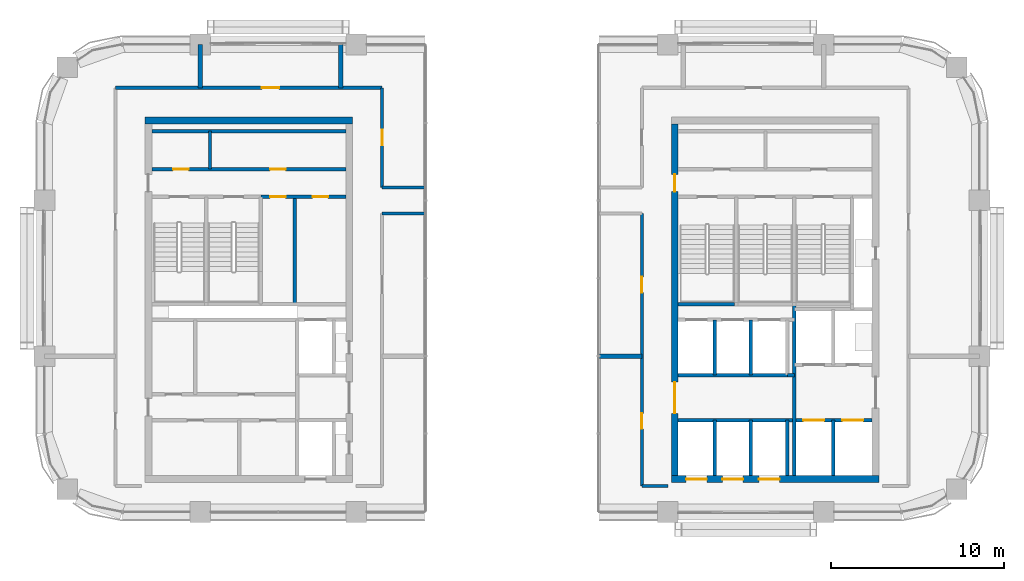
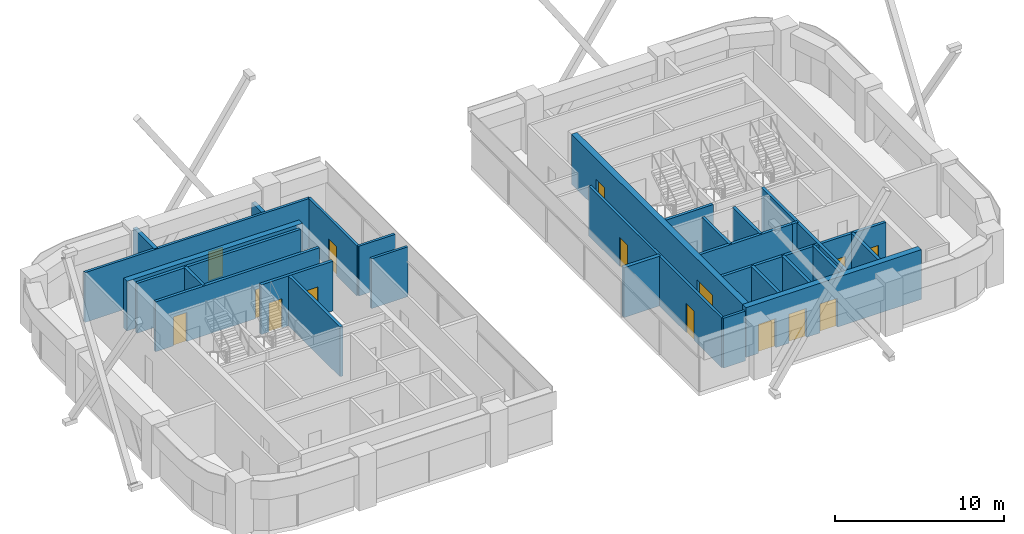
# One storey, part 10 of 14: 28 walls, 15 doors, 15 openings.
"""IFC4 building model written with IfcOpenShell, lengths in metres."""

from ifc_helpers import new_model, si_unit, direction, frame, frame_2d, origin, place, context, subcontext, project, spatial, rectangle, extrude, material, layer, layer_set, type_object, element, fill, save


model = new_model("IFC4")

# Units and contexts
model_context = context("Model", 3, precision=1e-05, world=origin(), true_north=direction((0.0, 1.0)))
body_context = subcontext(model_context, "Body", "Model", "MODEL_VIEW")
ifc_project = project(units=[si_unit("LENGTHUNIT", "METRE"), si_unit("AREAUNIT", "SQUARE_METRE"), si_unit("VOLUMEUNIT", "CUBIC_METRE"), si_unit("PLANEANGLEUNIT", "RADIAN"), si_unit("MASSUNIT", "GRAM", prefix="KILO")], contexts=[model_context])

# Site, building, storey
site_placement = place(None, origin())
site = spatial("IfcSite", under=ifc_project, at=site_placement, CompositionType="ELEMENT")
building_placement = place(site_placement, origin())
building = spatial("IfcBuilding", under=site, at=building_placement, Name="Tessera Arch", CompositionType="ELEMENT")
storey_placement = place(building_placement, frame((0.0, 0.0, 215.0)))
storey = spatial("IfcBuildingStorey", under=building, at=storey_placement, Name="L51", CompositionType="ELEMENT", Elevation=215.0)

# Walls
ifc_material_1 = material(Name="Gypsum board on steel stud", Category="steel")
ifc_layer_1 = layer(ifc_material_1, 0.125)
ifc_layer_set_1 = layer_set([ifc_layer_1], Name="Core partition 125 EI 60")
wall_type_1 = type_object("IfcWallType", Name="Core partition 125 EI 60", PredefinedType="PARTITIONING", material=ifc_layer_set_1)
wall_1_placement = place(storey_placement, frame((42.89990234375, 34.89990234375, 0.0), z_axis=(0.0, 0.0, 1.0), x_axis=(1.0, 0.0, 0.0)))
element("IfcWall", 1, at=wall_1_placement, inside=storey, type_object=wall_type_1, Name="L51 C1 partition wall 19", PredefinedType="PARTITIONING", context=body_context, shape_type="SweptSolid", body=[
    extrude(rectangle(XDim=0.400146484375, YDim=0.199951171875, at=frame_2d((0.2001953125, 0.0))), origin(), (0.0, 0.0, 1.0), 3.60009765625),
])
wall_2_placement = place(storey_placement, frame((9.56005859375, 46.800048828125, 0.0), z_axis=(0.0, 0.0, 1.0), x_axis=(0.0, 1.0, 0.0)))
element("IfcWall", 2, at=wall_2_placement, inside=storey, type_object=wall_type_1, Name="L51 C2 partition wall 4", PredefinedType="PARTITIONING", context=body_context, shape_type="SweptSolid", body=[
    extrude(rectangle(XDim=2.199951171875, YDim=0.199951171875, at=frame_2d((1.10009765625, 0.0))), origin(), (0.0, 0.0, 1.0), 3.60009765625),
])
wall_3_placement = place(storey_placement, frame((14.4599609375, 39.0, 0.0), z_axis=(0.0, 0.0, 1.0), x_axis=(0.0, 1.0, 0.0)))
element("IfcWall", 3, at=wall_3_placement, inside=storey, type_object=wall_type_1, Name="L51 C2 partition wall 8", PredefinedType="PARTITIONING", context=body_context, shape_type="SweptSolid", body=[
    extrude(rectangle(XDim=6.199951171875, YDim=0.199951171875, at=frame_2d((3.10009765625, 0.0))), origin(), (0.0, 0.0, 1.0), 3.60009765625),
])

# Wall, openings, doors
wall_4_placement = place(storey_placement, frame((12.5, 45.199951171875, 0.0), z_axis=(0.0, 0.0, 1.0), x_axis=(1.0, 0.0, 0.0)))
wall_4 = element("IfcWall", 4, at=wall_4_placement, inside=storey, type_object=wall_type_1, Name="L51 C2 partition wall 23", PredefinedType="PARTITIONING", context=body_context, shape_type="SweptSolid", body=[
    extrude(rectangle(XDim=4.89990234375, YDim=0.199951171875, at=frame_2d((2.449951171875, 0.0))), origin(), (0.0, 0.0, 1.0), 3.60009765625),
])
opening_1_placement = place(wall_4_placement, frame((0.530029296875, 0.0, 0.0)))
opening_1 = element("IfcOpeningElement", 5, at=opening_1_placement, cuts=wall_4, Name="Opening L51-C31", PredefinedType="OPENING", context=body_context, shape_type="SweptSolid", body=[
    extrude(rectangle(XDim=0.89990234375, YDim=2.10009765625, at=frame_2d((0.449951171875, 1.050048828125))), frame((0.0, 0.10986328125, 0.0), z_axis=(0.0, -1.0, 0.0), x_axis=(1.0, 0.0, 0.0)), (0.0, 0.0, 1.0), 0.219970703125),
])
opening_2_placement = place(wall_4_placement, frame((2.97998046875, 0.0, 0.0)))
opening_2 = element("IfcOpeningElement", 6, at=opening_2_placement, cuts=wall_4, Name="Opening L51-C32", PredefinedType="OPENING", context=body_context, shape_type="SweptSolid", body=[
    extrude(rectangle(XDim=0.89990234375, YDim=2.10009765625, at=frame_2d((0.449951171875, 1.050048828125))), frame((0.0, 0.10986328125, 0.0), z_axis=(0.0, -1.0, 0.0), x_axis=(1.0, 0.0, 0.0)), (0.0, 0.0, 1.0), 0.219970703125),
])
ifc_material_2 = material(Name="Steel door leaf", Category="steel")
door_type_1 = type_object("IfcDoorType", Name="Store door FD30S 900 x 2100", OperationType="SINGLE_SWING_LEFT", PredefinedType="DOOR", material=ifc_material_2)
door_1_placement = place(opening_1_placement, origin())
door_1 = element("IfcDoor", 7, at=door_1_placement, inside=storey, type_object=door_type_1, Name="L51 C2 door 12 C31 type D09", OperationType="SINGLE_SWING_LEFT", OverallHeight=2.10009765625, OverallWidth=0.89990234375, PredefinedType="DOOR", context=body_context, shape_type="SweptSolid", body=[
    extrude(rectangle(XDim=0.89990234375, YDim=2.10009765625, at=frame_2d((0.449951171875, 1.050048828125))), frame((0.0, 0.02490234375, 0.0), z_axis=(0.0, -1.0, 0.0), x_axis=(1.0, 0.0, 0.0)), (0.0, 0.0, 1.0), 0.050048828125),
])
fill(opening_1, door_1)
door_2_placement = place(opening_2_placement, origin())
door_2 = element("IfcDoor", 8, at=door_2_placement, inside=storey, type_object=door_type_1, Name="L51 C2 door 13 C32 type D09", OperationType="SINGLE_SWING_RIGHT", OverallHeight=2.10009765625, OverallWidth=0.89990234375, PredefinedType="DOOR", context=body_context, shape_type="SweptSolid", body=[
    extrude(rectangle(XDim=0.89990234375, YDim=2.10009765625, at=frame_2d((0.449951171875, 1.050048828125))), frame((0.0, 0.02490234375, 0.0), z_axis=(0.0, -1.0, 0.0), x_axis=(1.0, 0.0, 0.0)), (0.0, 0.0, 1.0), 0.050048828125),
])
fill(opening_2, door_2)

wall_5_placement = place(storey_placement, frame((6.199951171875, 46.800048828125, 0.0), z_axis=(0.0, 0.0, 1.0), x_axis=(1.0, 0.0, 0.0)))
wall_5 = element("IfcWall", 9, at=wall_5_placement, inside=storey, type_object=wall_type_1, Name="L51 C2 partition wall 25", PredefinedType="PARTITIONING", context=body_context, shape_type="SweptSolid", body=[
    extrude(rectangle(XDim=11.199951171875, YDim=0.199951171875, at=frame_2d((5.60009765625, 0.0))), origin(), (0.0, 0.0, 1.0), 3.60009765625),
])
opening_3_placement = place(wall_5_placement, frame((1.22998046875, 0.0, 0.0)))
opening_3 = element("IfcOpeningElement", 10, at=opening_3_placement, cuts=wall_5, Name="Opening L51-C29", PredefinedType="OPENING", context=body_context, shape_type="SweptSolid", body=[
    extrude(rectangle(XDim=0.89990234375, YDim=2.10009765625, at=frame_2d((0.449951171875, 1.050048828125))), frame((0.0, 0.10986328125, 0.0), z_axis=(0.0, -1.0, 0.0), x_axis=(1.0, 0.0, 0.0)), (0.0, 0.0, 1.0), 0.219970703125),
])
opening_4_placement = place(wall_5_placement, frame((6.830078125, 0.0, 0.0)))
opening_4 = element("IfcOpeningElement", 11, at=opening_4_placement, cuts=wall_5, Name="Opening L51-C30", PredefinedType="OPENING", context=body_context, shape_type="SweptSolid", body=[
    extrude(rectangle(XDim=0.89990234375, YDim=2.10009765625, at=frame_2d((0.449951171875, 1.050048828125))), frame((0.0, 0.10986328125, 0.0), z_axis=(0.0, -1.0, 0.0), x_axis=(1.0, 0.0, 0.0)), (0.0, 0.0, 1.0), 0.219970703125),
])
door_3_placement = place(opening_3_placement, origin())
door_3 = element("IfcDoor", 12, at=door_3_placement, inside=storey, type_object=door_type_1, Name="L51 C2 door 10 C29 type D09", OperationType="SINGLE_SWING_LEFT", OverallHeight=2.10009765625, OverallWidth=0.89990234375, PredefinedType="DOOR", context=body_context, shape_type="SweptSolid", body=[
    extrude(rectangle(XDim=0.89990234375, YDim=2.10009765625, at=frame_2d((0.449951171875, 1.050048828125))), frame((0.0, 0.02490234375, 0.0), z_axis=(0.0, -1.0, 0.0), x_axis=(1.0, 0.0, 0.0)), (0.0, 0.0, 1.0), 0.050048828125),
])
fill(opening_3, door_3)
door_4_placement = place(opening_4_placement, origin())
door_4 = element("IfcDoor", 13, at=door_4_placement, inside=storey, type_object=door_type_1, Name="L51 C2 door 11 C30 type D09", OperationType="SINGLE_SWING_RIGHT", OverallHeight=2.10009765625, OverallWidth=0.89990234375, PredefinedType="DOOR", context=body_context, shape_type="SweptSolid", body=[
    extrude(rectangle(XDim=0.89990234375, YDim=2.10009765625, at=frame_2d((0.449951171875, 1.050048828125))), frame((0.0, 0.02490234375, 0.0), z_axis=(0.0, -1.0, 0.0), x_axis=(1.0, 0.0, 0.0)), (0.0, 0.0, 1.0), 0.050048828125),
])
fill(opening_4, door_4)

# Wall
wall_6_placement = place(storey_placement, frame((6.199951171875, 49.0, 0.0), z_axis=(0.0, 0.0, 1.0), x_axis=(1.0, 0.0, 0.0)))
element("IfcWall", 14, at=wall_6_placement, inside=storey, type_object=wall_type_1, Name="L51 C2 partition wall 26", PredefinedType="PARTITIONING", context=body_context, shape_type="SweptSolid", body=[
    extrude(rectangle(XDim=11.199951171875, YDim=0.199951171875, at=frame_2d((5.60009765625, 0.0))), origin(), (0.0, 0.0, 1.0), 3.60009765625),
])

# Wall, openings, doors
ifc_material_3 = material(Name="Concrete C50/60", Category="concrete")
ifc_layer_2 = layer(ifc_material_3, 0.39990234375)
ifc_layer_set_2 = layer_set([ifc_layer_2], Name="Core shell wall 400 C50-60")
wall_type_2 = type_object("IfcWallType", Name="Core shell wall 400 C50-60", PredefinedType="SHEAR", material=ifc_layer_set_2)
wall_7_placement = place(storey_placement, frame((36.199951171875, 28.89990234375, 0.0), z_axis=(0.0, 0.0, 1.0), x_axis=(1.0, 0.0, 0.0)))
wall_7 = element("IfcWall", 15, at=wall_7_placement, inside=storey, type_object=wall_type_2, Name="L51 C1 core wall S", PredefinedType="SHEAR", context=body_context, shape_type="SweptSolid", body=[
    extrude(rectangle(XDim=12.0, YDim=0.39990234375, at=frame_2d((6.0, 0.0))), origin(), (0.0, 0.0, 1.0), 3.60009765625),
])
opening_5_placement = place(wall_7_placement, frame((0.85009765625, 0.0, 0.0)))
opening_5 = element("IfcOpeningElement", 16, at=opening_5_placement, cuts=wall_7, Name="Opening L51-C01", PredefinedType="OPENING", context=body_context, shape_type="SweptSolid", body=[
    extrude(rectangle(XDim=1.199951171875, YDim=2.10009765625, at=frame_2d((0.60009765625, 1.050048828125))), frame((0.0, 0.2099609375, 0.0), z_axis=(0.0, -1.0, 0.0), x_axis=(1.0, 0.0, 0.0)), (0.0, 0.0, 1.0), 0.419921875),
])
opening_6_placement = place(wall_7_placement, frame((2.949951171875, 0.0, 0.0)))
opening_6 = element("IfcOpeningElement", 17, at=opening_6_placement, cuts=wall_7, Name="Opening L51-C03", PredefinedType="OPENING", context=body_context, shape_type="SweptSolid", body=[
    extrude(rectangle(XDim=1.199951171875, YDim=2.10009765625, at=frame_2d((0.60009765625, 1.050048828125))), frame((0.0, 0.2099609375, 0.0), z_axis=(0.0, -1.0, 0.0), x_axis=(1.0, 0.0, 0.0)), (0.0, 0.0, 1.0), 0.419921875),
])
opening_7_placement = place(wall_7_placement, frame((5.050048828125, 0.0, 0.0)))
opening_7 = element("IfcOpeningElement", 18, at=opening_7_placement, cuts=wall_7, Name="Opening L51-C05", PredefinedType="OPENING", context=body_context, shape_type="SweptSolid", body=[
    extrude(rectangle(XDim=1.199951171875, YDim=2.10009765625, at=frame_2d((0.60009765625, 1.050048828125))), frame((0.0, 0.2099609375, 0.0), z_axis=(0.0, -1.0, 0.0), x_axis=(1.0, 0.0, 0.0)), (0.0, 0.0, 1.0), 0.419921875),
])
ifc_material_4 = material(Name="Stainless steel AISI 304", Category="steel")
door_type_2 = type_object("IfcDoorType", Name="Sliding landing door 1200 x 2100", OperationType="SLIDING_TO_LEFT", PredefinedType="DOOR", material=ifc_material_4)
door_5_placement = place(opening_5_placement, origin())
door_5 = element("IfcDoor", 19, at=door_5_placement, inside=storey, type_object=door_type_2, Name="L51 HR1 lift landing door C01 type LD", OperationType="SLIDING_TO_LEFT", OverallHeight=2.10009765625, OverallWidth=1.199951171875, PredefinedType="DOOR", context=body_context, shape_type="SweptSolid", body=[
    extrude(rectangle(XDim=1.199951171875, YDim=2.10009765625, at=frame_2d((0.60009765625, 1.050048828125))), frame((0.0, 0.02490234375, 0.0), z_axis=(0.0, -1.0, 0.0), x_axis=(1.0, 0.0, 0.0)), (0.0, 0.0, 1.0), 0.050048828125),
])
fill(opening_5, door_5)
door_6_placement = place(opening_6_placement, origin())
door_6 = element("IfcDoor", 20, at=door_6_placement, inside=storey, type_object=door_type_2, Name="L51 HR2 lift landing door C03 type LD", OperationType="SLIDING_TO_LEFT", OverallHeight=2.10009765625, OverallWidth=1.199951171875, PredefinedType="DOOR", context=body_context, shape_type="SweptSolid", body=[
    extrude(rectangle(XDim=1.199951171875, YDim=2.10009765625, at=frame_2d((0.60009765625, 1.050048828125))), frame((0.0, 0.02490234375, 0.0), z_axis=(0.0, -1.0, 0.0), x_axis=(1.0, 0.0, 0.0)), (0.0, 0.0, 1.0), 0.050048828125),
])
fill(opening_6, door_6)
door_7_placement = place(opening_7_placement, origin())
door_7 = element("IfcDoor", 21, at=door_7_placement, inside=storey, type_object=door_type_2, Name="L51 HR3 lift landing door C05 type LD", OperationType="SLIDING_TO_LEFT", OverallHeight=2.10009765625, OverallWidth=1.199951171875, PredefinedType="DOOR", context=body_context, shape_type="SweptSolid", body=[
    extrude(rectangle(XDim=1.199951171875, YDim=2.10009765625, at=frame_2d((0.60009765625, 1.050048828125))), frame((0.0, 0.02490234375, 0.0), z_axis=(0.0, -1.0, 0.0), x_axis=(1.0, 0.0, 0.0)), (0.0, 0.0, 1.0), 0.050048828125),
])
fill(opening_7, door_7)

wall_8_placement = place(storey_placement, frame((36.39990234375, 29.10009765625, 0.0), z_axis=(0.0, 0.0, 1.0), x_axis=(0.0, 1.0, 0.0)))
wall_8 = element("IfcWall", 22, at=wall_8_placement, inside=storey, type_object=wall_type_2, Name="L51 C1 core wall W", PredefinedType="SHEAR", context=body_context, shape_type="SweptSolid", body=[
    extrude(rectangle(XDim=20.2998046875, YDim=0.39990234375, at=frame_2d((10.14990234375, 0.0))), origin(), (0.0, 0.0, 1.0), 3.60009765625),
])
opening_8_placement = place(wall_8_placement, frame((3.60009765625, 0.0, 0.0)))
opening_8 = element("IfcOpeningElement", 23, at=opening_8_placement, cuts=wall_8, Name="Opening L51-C10", PredefinedType="OPENING", context=body_context, shape_type="SweptSolid", body=[
    extrude(rectangle(XDim=1.800048828125, YDim=2.10009765625, at=frame_2d((0.89990234375, 1.050048828125))), frame((0.0, 0.2099609375, 0.0), z_axis=(0.0, -1.0, 0.0), x_axis=(1.0, 0.0, 0.0)), (0.0, 0.0, 1.0), 0.419921875),
])
opening_9_placement = place(wall_8_placement, frame((16.39990234375, 0.0, 0.0)))
opening_9 = element("IfcOpeningElement", 24, at=opening_9_placement, cuts=wall_8, Name="Opening L51-C17", PredefinedType="OPENING", context=body_context, shape_type="SweptSolid", body=[
    extrude(rectangle(XDim=1.0, YDim=2.10009765625, at=frame_2d((0.5, 1.050048828125))), frame((0.0, 0.2099609375, 0.0), z_axis=(0.0, -1.0, 0.0), x_axis=(1.0, 0.0, 0.0)), (0.0, 0.0, 1.0), 0.419921875),
])
ifc_material_5 = material(Name="Steel door leaf", Category="steel")
door_type_3 = type_object("IfcDoorType", Name="Corridor door FD60 1000 x 2100", OperationType="SINGLE_SWING_LEFT", PredefinedType="DOOR", material=ifc_material_5)
door_8_placement = place(opening_9_placement, origin())
door_8 = element("IfcDoor", 25, at=door_8_placement, inside=storey, type_object=door_type_3, Name="L51 C1 door 17 C17 type D12", OperationType="SINGLE_SWING_RIGHT", OverallHeight=2.10009765625, OverallWidth=1.0, PredefinedType="DOOR", context=body_context, shape_type="SweptSolid", body=[
    extrude(rectangle(XDim=1.0, YDim=2.10009765625, at=frame_2d((0.5, 1.050048828125))), frame((0.0, 0.02490234375, 0.0), z_axis=(0.0, -1.0, 0.0), x_axis=(1.0, 0.0, 0.0)), (0.0, 0.0, 1.0), 0.050048828125),
])
fill(opening_9, door_8)
ifc_material_6 = material(Name="Glazed steel door leaf", Category="steel")
door_type_4 = type_object("IfcDoorType", Name="Lobby double door FD30S 1800 x 2100", OperationType="DOUBLE_DOOR_SINGLE_SWING", PredefinedType="DOOR", material=ifc_material_6)
door_9_placement = place(opening_8_placement, origin())
door_9 = element("IfcDoor", 26, at=door_9_placement, inside=storey, type_object=door_type_4, Name="L51 C1 door 10 C10 type D06", OperationType="DOUBLE_DOOR_SINGLE_SWING", OverallHeight=2.10009765625, OverallWidth=1.800048828125, PredefinedType="DOOR", context=body_context, shape_type="SweptSolid", body=[
    extrude(rectangle(XDim=1.800048828125, YDim=2.10009765625, at=frame_2d((0.89990234375, 1.050048828125))), frame((0.0, 0.02490234375, 0.0), z_axis=(0.0, -1.0, 0.0), x_axis=(1.0, 0.0, 0.0)), (0.0, 0.0, 1.0), 0.050048828125),
])
fill(opening_8, door_9)

# Walls
wall_9_placement = place(storey_placement, frame((5.800048828125, 49.60009765625, 0.0), z_axis=(0.0, 0.0, 1.0), x_axis=(1.0, 0.0, 0.0)))
element("IfcWall", 27, at=wall_9_placement, inside=storey, type_object=wall_type_2, Name="L51 C2 core wall N", PredefinedType="SHEAR", context=body_context, shape_type="SweptSolid", body=[
    extrude(rectangle(XDim=12.0, YDim=0.39990234375, at=frame_2d((6.0, 0.0))), origin(), (0.0, 0.0, 1.0), 3.60009765625),
])
ifc_material_7 = material(Name="Gypsum board on deep steel stud with mineral wool", Category="steel")
ifc_layer_3 = layer(ifc_material_7, 0.175048828125)
ifc_layer_set_3 = layer_set([ifc_layer_3], Name="Corridor wall 175 EI 60")
wall_type_3 = type_object("IfcWallType", Name="Corridor wall 175 EI 60", PredefinedType="PARTITIONING", material=ifc_layer_set_3)
wall_10_placement = place(storey_placement, frame((34.5, 28.5, 0.0), z_axis=(0.0, 0.0, 1.0), x_axis=(1.0, 0.0, 0.0)))
element("IfcWall", 28, at=wall_10_placement, inside=storey, type_object=wall_type_3, Name="L51 partition 3", PredefinedType="PARTITIONING", context=body_context, shape_type="SweptSolid", body=[
    extrude(rectangle(XDim=1.5, YDim=0.175048828125, at=frame_2d((0.75, 0.0))), origin(), (0.0, 0.0, 1.0), 3.60009765625),
])
for number, where, z_axis, x_axis, name in (
    (29, (19.5, 44.25, 0.0), (0.0, 0.0, 1.0), (1.0, 0.0, 0.0), "L51 partition 5"),
    (30, (19.5, 45.75, 0.0), (0.0, 0.0, 1.0), (1.0, 0.0, 0.0), "L51 partition 7"),
):
    element("IfcWall", number, at=place(storey_placement, frame(where, z_axis=z_axis, x_axis=x_axis)), inside=storey, type_object=wall_type_3, Name=name, PredefinedType="PARTITIONING", context=body_context, shape_type="SweptSolid", body=[
        extrude(rectangle(XDim=2.5, YDim=0.175048828125, at=frame_2d((1.25, 0.0))), origin(), (0.0, 0.0, 1.0), 3.60009765625),
    ])

# Wall, opening, door
wall_11_placement = place(storey_placement, frame((4.10009765625, 51.5, 0.0), z_axis=(0.0, 0.0, 1.0), x_axis=(1.0, 0.0, 0.0)))
wall_11 = element("IfcWall", 31, at=wall_11_placement, inside=storey, type_object=wall_type_3, Name="L51 partition 9", PredefinedType="PARTITIONING", context=body_context, shape_type="SweptSolid", body=[
    extrude(rectangle(XDim=15.39990234375, YDim=0.175048828125, at=frame_2d((7.699951171875, 0.0))), origin(), (0.0, 0.0, 1.0), 3.60009765625),
])
opening_10_placement = place(wall_11_placement, frame((8.455078125, 0.0, 0.0)))
opening_10 = element("IfcOpeningElement", 32, at=opening_10_placement, cuts=wall_11, Name="Opening L51-D009", PredefinedType="OPENING", context=body_context, shape_type="SweptSolid", body=[
    extrude(rectangle(XDim=1.0, YDim=2.10009765625, at=frame_2d((0.5, 1.050048828125))), frame((0.0, 0.097412109375, 0.0), z_axis=(0.0, -1.0, 0.0), x_axis=(1.0, 0.0, 0.0)), (0.0, 0.0, 1.0), 0.195068359375),
])
ifc_material_8 = material(Name="Fire-rated door leaf")
door_type_5 = type_object("IfcDoorType", Name="Entrance door FD30S 1000 x 2100", OperationType="SINGLE_SWING_LEFT", PredefinedType="DOOR", material=ifc_material_8)
door_10_placement = place(opening_10_placement, origin())
door_10 = element("IfcDoor", 33, at=door_10_placement, inside=storey, type_object=door_type_5, Name="L51 door D009 type D03", OperationType="SINGLE_SWING_LEFT", OverallHeight=2.10009765625, OverallWidth=1.0, PredefinedType="DOOR", context=body_context, shape_type="SweptSolid", body=[
    extrude(rectangle(XDim=1.0, YDim=2.10009765625, at=frame_2d((0.5, 1.050048828125))), frame((0.0, 0.02490234375, 0.0), z_axis=(0.0, -1.0, 0.0), x_axis=(1.0, 0.0, 0.0)), (0.0, 0.0, 1.0), 0.050048828125),
])
fill(opening_10, door_10)

wall_12_placement = place(storey_placement, frame((19.5, 45.75, 0.0), z_axis=(0.0, 0.0, 1.0), x_axis=(0.0, 1.0, 0.0)))
wall_12 = element("IfcWall", 34, at=wall_12_placement, inside=storey, type_object=wall_type_3, Name="L51 partition 13", PredefinedType="PARTITIONING", context=body_context, shape_type="SweptSolid", body=[
    extrude(rectangle(XDim=5.75, YDim=0.175048828125, at=frame_2d((2.875, 0.0))), origin(), (0.0, 0.0, 1.0), 3.60009765625),
])
opening_11_placement = place(wall_12_placement, frame((2.425048828125, 0.0, 0.0)))
opening_11 = element("IfcOpeningElement", 35, at=opening_11_placement, cuts=wall_12, Name="Opening L51-D007", PredefinedType="OPENING", context=body_context, shape_type="SweptSolid", body=[
    extrude(rectangle(XDim=0.89990234375, YDim=2.10009765625, at=frame_2d((0.449951171875, 1.050048828125))), frame((0.0, 0.097412109375, 0.0), z_axis=(0.0, -1.0, 0.0), x_axis=(1.0, 0.0, 0.0)), (0.0, 0.0, 1.0), 0.195068359375),
])
ifc_material_9 = material(Name="Timber door leaf", Category="wood")
door_type_6 = type_object("IfcDoorType", Name="Room door 900 x 2100", OperationType="SINGLE_SWING_LEFT", PredefinedType="DOOR", material=ifc_material_9)
door_11_placement = place(opening_11_placement, origin())
door_11 = element("IfcDoor", 36, at=door_11_placement, inside=storey, type_object=door_type_6, Name="L51 door D007 type D01", OperationType="SINGLE_SWING_RIGHT", OverallHeight=2.10009765625, OverallWidth=0.89990234375, PredefinedType="DOOR", context=body_context, shape_type="SweptSolid", body=[
    extrude(rectangle(XDim=0.89990234375, YDim=2.10009765625, at=frame_2d((0.449951171875, 1.050048828125))), frame((0.0, 0.02490234375, 0.0), z_axis=(0.0, -1.0, 0.0), x_axis=(1.0, 0.0, 0.0)), (0.0, 0.0, 1.0), 0.050048828125),
])
fill(opening_11, door_11)

# Wall, openings, doors
wall_13_placement = place(storey_placement, frame((34.5, 28.5, 0.0), z_axis=(0.0, 0.0, 1.0), x_axis=(0.0, 1.0, 0.0)))
wall_13 = element("IfcWall", 37, at=wall_13_placement, inside=storey, type_object=wall_type_3, Name="L51 partition 14", PredefinedType="PARTITIONING", context=body_context, shape_type="SweptSolid", body=[
    extrude(rectangle(XDim=15.75, YDim=0.175048828125, at=frame_2d((7.875, 0.0))), origin(), (0.0, 0.0, 1.0), 3.60009765625),
])
opening_12_placement = place(wall_13_placement, frame((3.300048828125, 0.0, 0.0)))
opening_12 = element("IfcOpeningElement", 38, at=opening_12_placement, cuts=wall_13, Name="Opening L51-D002", PredefinedType="OPENING", context=body_context, shape_type="SweptSolid", body=[
    extrude(rectangle(XDim=0.89990234375, YDim=2.10009765625, at=frame_2d((0.449951171875, 1.050048828125))), frame((0.0, 0.097412109375, 0.0), z_axis=(0.0, -1.0, 0.0), x_axis=(1.0, 0.0, 0.0)), (0.0, 0.0, 1.0), 0.195068359375),
])
opening_13_placement = place(wall_13_placement, frame((11.175048828125, 0.0, 0.0)))
opening_13 = element("IfcOpeningElement", 39, at=opening_13_placement, cuts=wall_13, Name="Opening L51-D004", PredefinedType="OPENING", context=body_context, shape_type="SweptSolid", body=[
    extrude(rectangle(XDim=0.89990234375, YDim=2.10009765625, at=frame_2d((0.449951171875, 1.050048828125))), frame((0.0, 0.097412109375, 0.0), z_axis=(0.0, -1.0, 0.0), x_axis=(1.0, 0.0, 0.0)), (0.0, 0.0, 1.0), 0.195068359375),
])
door_12_placement = place(opening_12_placement, origin())
door_12 = element("IfcDoor", 40, at=door_12_placement, inside=storey, type_object=door_type_6, Name="L51 door D002 type D01", OperationType="SINGLE_SWING_RIGHT", OverallHeight=2.10009765625, OverallWidth=0.89990234375, PredefinedType="DOOR", context=body_context, shape_type="SweptSolid", body=[
    extrude(rectangle(XDim=0.89990234375, YDim=2.10009765625, at=frame_2d((0.449951171875, 1.050048828125))), frame((0.0, 0.02490234375, 0.0), z_axis=(0.0, -1.0, 0.0), x_axis=(1.0, 0.0, 0.0)), (0.0, 0.0, 1.0), 0.050048828125),
])
fill(opening_12, door_12)
door_13_placement = place(opening_13_placement, origin())
door_13 = element("IfcDoor", 41, at=door_13_placement, inside=storey, type_object=door_type_6, Name="L51 door D004 type D01", OperationType="SINGLE_SWING_RIGHT", OverallHeight=2.10009765625, OverallWidth=0.89990234375, PredefinedType="DOOR", context=body_context, shape_type="SweptSolid", body=[
    extrude(rectangle(XDim=0.89990234375, YDim=2.10009765625, at=frame_2d((0.449951171875, 1.050048828125))), frame((0.0, 0.02490234375, 0.0), z_axis=(0.0, -1.0, 0.0), x_axis=(1.0, 0.0, 0.0)), (0.0, 0.0, 1.0), 0.050048828125),
])
fill(opening_13, door_13)

# Walls
ifc_material_10 = material(Name="Double gypsum board on twin steel stud with acoustic mineral wool", Category="steel")
ifc_layer_4 = layer(ifc_material_10, 0.25)
ifc_layer_set_4 = layer_set([ifc_layer_4], Name="Party wall 250 EI 60")
wall_type_4 = type_object("IfcWallType", Name="Party wall 250 EI 60", PredefinedType="PARTITIONING", material=ifc_layer_set_4)
for number, where, z_axis, x_axis, name in (
    (42, (32.0, 36.0, 0.0), (0.0, 0.0, 1.0), (1.0, 0.0, 0.0), "L51 partition 19"),
    (43, (9.0, 51.5, 0.0), (0.0, 0.0, 1.0), (0.0, 1.0, 0.0), "L51 partition 21"),
):
    element("IfcWall", number, at=place(storey_placement, frame(where, z_axis=z_axis, x_axis=x_axis)), inside=storey, type_object=wall_type_4, Name=name, PredefinedType="PARTITIONING", context=body_context, shape_type="SweptSolid", body=[
        extrude(rectangle(XDim=2.5, YDim=0.25, at=frame_2d((1.25, 0.0))), origin(), (0.0, 0.0, 1.0), 3.60009765625),
    ])
wall_14_placement = place(storey_placement, frame((17.110107421875, 51.5, 0.0), z_axis=(0.0, 0.0, 1.0), x_axis=(0.0, 1.0, 0.0)))
element("IfcWall", 44, at=wall_14_placement, inside=storey, type_object=wall_type_4, Name="L51 partition 22", PredefinedType="PARTITIONING", context=body_context, shape_type="SweptSolid", body=[
    extrude(rectangle(XDim=2.5, YDim=0.25, at=frame_2d((1.25, 0.0))), origin(), (0.0, 0.0, 1.0), 2.60009765625),
])
ifc_material_11 = material(Name="Concrete C40/50", Category="concrete")
ifc_layer_5 = layer(ifc_material_11, 0.199951171875)
ifc_layer_set_5 = layer_set([ifc_layer_5], Name="Shaft wall 200 EI 120")
wall_type_5 = type_object("IfcWallType", Name="Shaft wall 200 EI 120", PredefinedType="SOLIDWALL", material=ifc_layer_set_5)
wall_15_placement = place(storey_placement, frame((38.699951171875, 29.10009765625, 0.0), z_axis=(0.0, 0.0, 1.0), x_axis=(0.0, 1.0, 0.0)))
element("IfcWall", 45, at=wall_15_placement, inside=storey, type_object=wall_type_5, Name="L51 C1 shaft wall 1", PredefinedType="SOLIDWALL", context=body_context, shape_type="SweptSolid", body=[
    extrude(rectangle(XDim=3.199951171875, YDim=0.199951171875, at=frame_2d((1.60009765625, 0.0))), origin(), (0.0, 0.0, 1.0), 3.60009765625),
])
wall_16_placement = place(storey_placement, frame((38.699951171875, 34.89990234375, 0.0), z_axis=(0.0, 0.0, 1.0), x_axis=(0.0, 1.0, 0.0)))
element("IfcWall", 46, at=wall_16_placement, inside=storey, type_object=wall_type_5, Name="L51 C1 shaft wall 2", PredefinedType="SOLIDWALL", context=body_context, shape_type="SweptSolid", body=[
    extrude(rectangle(XDim=3.2001953125, YDim=0.199951171875, at=frame_2d((1.60009765625, 0.0))), origin(), (0.0, 0.0, 1.0), 3.60009765625),
])
wall_17_placement = place(storey_placement, frame((40.800048828125, 29.10009765625, 0.0), z_axis=(0.0, 0.0, 1.0), x_axis=(0.0, 1.0, 0.0)))
element("IfcWall", 47, at=wall_17_placement, inside=storey, type_object=wall_type_5, Name="L51 C1 shaft wall 5", PredefinedType="SOLIDWALL", context=body_context, shape_type="SweptSolid", body=[
    extrude(rectangle(XDim=3.199951171875, YDim=0.199951171875, at=frame_2d((1.60009765625, 0.0))), origin(), (0.0, 0.0, 1.0), 3.60009765625),
])
wall_18_placement = place(storey_placement, frame((40.800048828125, 34.89990234375, 0.0), z_axis=(0.0, 0.0, 1.0), x_axis=(0.0, 1.0, 0.0)))
element("IfcWall", 48, at=wall_18_placement, inside=storey, type_object=wall_type_5, Name="L51 C1 shaft wall 6", PredefinedType="SOLIDWALL", context=body_context, shape_type="SweptSolid", body=[
    extrude(rectangle(XDim=3.2001953125, YDim=0.199951171875, at=frame_2d((1.60009765625, 0.0))), origin(), (0.0, 0.0, 1.0), 3.60009765625),
])
wall_19_placement = place(storey_placement, frame((42.89990234375, 29.10009765625, 0.0), z_axis=(0.0, 0.0, 1.0), x_axis=(0.0, 1.0, 0.0)))
element("IfcWall", 49, at=wall_19_placement, inside=storey, type_object=wall_type_5, Name="L51 C1 shaft wall 8", PredefinedType="SOLIDWALL", context=body_context, shape_type="SweptSolid", body=[
    extrude(rectangle(XDim=3.199951171875, YDim=0.199951171875, at=frame_2d((1.60009765625, 0.0))), origin(), (0.0, 0.0, 1.0), 3.60009765625),
])
wall_20_placement = place(storey_placement, frame((43.300048828125, 29.10009765625, 0.0), z_axis=(0.0, 0.0, 1.0), x_axis=(0.0, 1.0, 0.0)))
element("IfcWall", 50, at=wall_20_placement, inside=storey, type_object=wall_type_5, Name="L51 C1 shaft wall 10", PredefinedType="SOLIDWALL", context=body_context, shape_type="SweptSolid", body=[
    extrude(rectangle(XDim=9.89990234375, YDim=0.199951171875, at=frame_2d((4.949951171875, 0.0))), origin(), (0.0, 0.0, 1.0), 3.60009765625),
])
wall_21_placement = place(storey_placement, frame((45.550048828125, 29.10009765625, 0.0), z_axis=(0.0, 0.0, 1.0), x_axis=(0.0, 1.0, 0.0)))
element("IfcWall", 51, at=wall_21_placement, inside=storey, type_object=wall_type_5, Name="L51 C1 shaft wall 13", PredefinedType="SOLIDWALL", context=body_context, shape_type="SweptSolid", body=[
    extrude(rectangle(XDim=3.199951171875, YDim=0.199951171875, at=frame_2d((1.60009765625, 0.0))), origin(), (0.0, 0.0, 1.0), 3.60009765625),
])

# Wall, openings, doors
wall_22_placement = place(storey_placement, frame((36.60009765625, 32.300048828125, 0.0), z_axis=(0.0, 0.0, 1.0), x_axis=(1.0, 0.0, 0.0)))
wall_22 = element("IfcWall", 52, at=wall_22_placement, inside=storey, type_object=wall_type_5, Name="L51 C1 shaft wall 18", PredefinedType="SOLIDWALL", context=body_context, shape_type="SweptSolid", body=[
    extrude(rectangle(XDim=11.199951171875, YDim=0.199951171875, at=frame_2d((5.60009765625, 0.0))), origin(), (0.0, 0.0, 1.0), 3.60009765625),
])
opening_14_placement = place(wall_22_placement, frame((7.22509765625, 0.0, 0.0)))
opening_14 = element("IfcOpeningElement", 53, at=opening_14_placement, cuts=wall_22, Name="Opening L51-C07", PredefinedType="OPENING", context=body_context, shape_type="SweptSolid", body=[
    extrude(rectangle(XDim=1.199951171875, YDim=2.10009765625, at=frame_2d((0.60009765625, 1.050048828125))), frame((0.0, 0.10986328125, 0.0), z_axis=(0.0, -1.0, 0.0), x_axis=(1.0, 0.0, 0.0)), (0.0, 0.0, 1.0), 0.219970703125),
])
opening_15_placement = place(wall_22_placement, frame((9.47509765625, 0.0, 0.0)))
opening_15 = element("IfcOpeningElement", 54, at=opening_15_placement, cuts=wall_22, Name="Opening L51-C08", PredefinedType="OPENING", context=body_context, shape_type="SweptSolid", body=[
    extrude(rectangle(XDim=1.199951171875, YDim=2.10009765625, at=frame_2d((0.60009765625, 1.050048828125))), frame((0.0, 0.10986328125, 0.0), z_axis=(0.0, -1.0, 0.0), x_axis=(1.0, 0.0, 0.0)), (0.0, 0.0, 1.0), 0.219970703125),
])
door_14_placement = place(opening_14_placement, origin())
door_14 = element("IfcDoor", 55, at=door_14_placement, inside=storey, type_object=door_type_2, Name="L51 FF1 lift landing door C07 type LD", OperationType="SLIDING_TO_LEFT", OverallHeight=2.10009765625, OverallWidth=1.199951171875, PredefinedType="DOOR", context=body_context, shape_type="SweptSolid", body=[
    extrude(rectangle(XDim=1.199951171875, YDim=2.10009765625, at=frame_2d((0.60009765625, 1.050048828125))), frame((0.0, 0.02490234375, 0.0), z_axis=(0.0, -1.0, 0.0), x_axis=(1.0, 0.0, 0.0)), (0.0, 0.0, 1.0), 0.050048828125),
])
fill(opening_14, door_14)
door_15_placement = place(opening_15_placement, origin())
door_15 = element("IfcDoor", 56, at=door_15_placement, inside=storey, type_object=door_type_2, Name="L51 FF2 lift landing door C08 type LD", OperationType="SLIDING_TO_LEFT", OverallHeight=2.10009765625, OverallWidth=1.199951171875, PredefinedType="DOOR", context=body_context, shape_type="SweptSolid", body=[
    extrude(rectangle(XDim=1.199951171875, YDim=2.10009765625, at=frame_2d((0.60009765625, 1.050048828125))), frame((0.0, 0.02490234375, 0.0), z_axis=(0.0, -1.0, 0.0), x_axis=(1.0, 0.0, 0.0)), (0.0, 0.0, 1.0), 0.050048828125),
])
fill(opening_15, door_15)

# Walls
wall_23_placement = place(storey_placement, frame((36.60009765625, 34.89990234375, 0.0), z_axis=(0.0, 0.0, 1.0), x_axis=(1.0, 0.0, 0.0)))
element("IfcWall", 57, at=wall_23_placement, inside=storey, type_object=wall_type_5, Name="L51 C1 shaft wall 20", PredefinedType="SOLIDWALL", context=body_context, shape_type="SweptSolid", body=[
    extrude(rectangle(XDim=6.2998046875, YDim=0.199951171875, at=frame_2d((3.14990234375, 0.0))), origin(), (0.0, 0.0, 1.0), 3.60009765625),
])
ifc_material_12 = material(Name="Concrete C40/50", Category="concrete")
ifc_layer_6 = layer(ifc_material_12, 0.199951171875)
ifc_layer_set_6 = layer_set([ifc_layer_6], Name="Stair well wall 200 REI 180")
wall_type_6 = type_object("IfcWallType", Name="Stair well wall 200 REI 180", PredefinedType="SOLIDWALL", material=ifc_layer_set_6)
wall_24_placement = place(storey_placement, frame((36.60009765625, 39.0, 0.0), z_axis=(0.0, 0.0, 1.0), x_axis=(1.0, 0.0, 0.0)))
element("IfcWall", 58, at=wall_24_placement, inside=storey, type_object=wall_type_6, Name="L51 C1 shaft wall 24", PredefinedType="SOLIDWALL", context=body_context, shape_type="SweptSolid", body=[
    extrude(rectangle(XDim=3.25, YDim=0.199951171875, at=frame_2d((1.625, 0.0))), origin(), (0.0, 0.0, 1.0), 3.60009765625),
])

save(model, "model.ifc")
